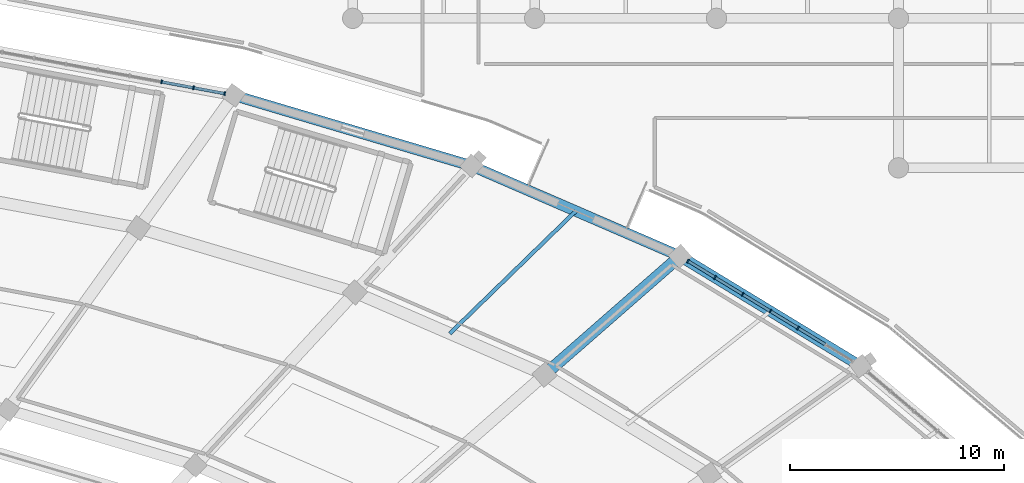
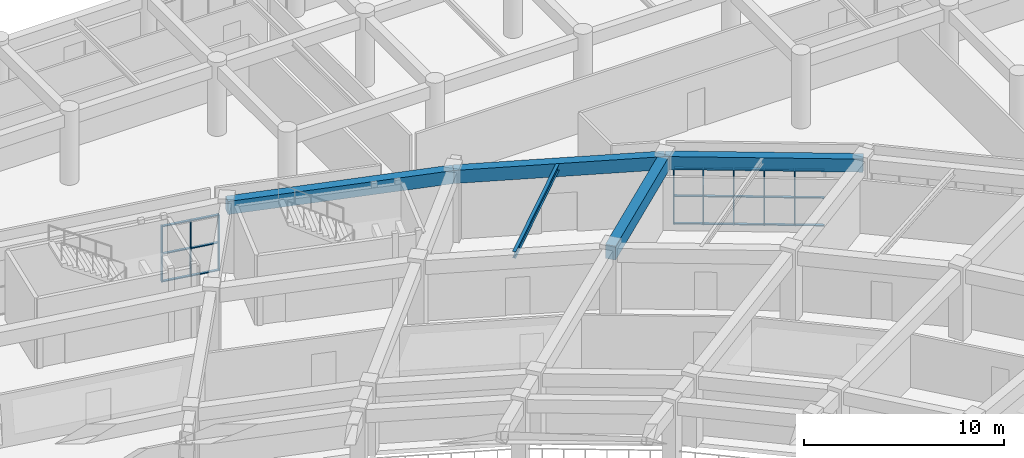
# One storey, part 72 of 145: 29 members, 5 beams, 2 elements without a shape of their own.
"""IFC4 building model written with IfcOpenShell, lengths in metres."""

from ifc_helpers import new_model, si_unit, direction, frame, origin, origin_2d, place, context, subcontext, project, spatial, rectangle, i_section, extrude, material, layer, layer_set, material_profile, profile_set, type_object, element, aggregate, save


model = new_model("IFC4")

# Units and contexts
model_context = context("Model", 3, precision=1e-05, world=origin(), true_north=direction((0.0, 1.0)))
body_context = subcontext(model_context, "Body", "Model", "MODEL_VIEW")
ifc_project = project(units=[si_unit("LENGTHUNIT", "METRE"), si_unit("AREAUNIT", "SQUARE_METRE"), si_unit("VOLUMEUNIT", "CUBIC_METRE"), si_unit("PLANEANGLEUNIT", "RADIAN"), si_unit("MASSUNIT", "GRAM", prefix="KILO")], contexts=[model_context])

# Site, building, storey
site_placement = place(None, origin())
site = spatial("IfcSite", under=ifc_project, at=site_placement, CompositionType="ELEMENT")
building_placement = place(site_placement, origin())
building = spatial("IfcBuilding", under=site, at=building_placement, Name="Mphavela Belvedere Stadium", CompositionType="ELEMENT")
storey_placement = place(building_placement, frame((0.0, 0.0, 10.199951171875)))
storey = spatial("IfcBuildingStorey", under=building, at=storey_placement, Name="L02", CompositionType="ELEMENT", Elevation=10.199951171875)

# Beams
ifc_material_1 = material(Name="Steel S355", Category="steel")
ifc_material_profile_1 = material_profile(ifc_material_1, i_section(OverallWidth=0.179931640625, OverallDepth=0.39990234375, WebThickness=0.008544921875, FlangeThickness=0.013427734375, at=origin_2d()), Name="IPE 400")
ifc_profile_set_1 = profile_set([ifc_material_profile_1], Name="Steel S355")
beam_type_1 = type_object("IfcBeamType", Name="BM-JOIST-IPE400", PredefinedType="JOIST", material=ifc_profile_set_1)
beam_1_placement = place(storey_placement, frame((174.918212890625, 145.242431640625, 4.050048828125), z_axis=(0.717067022089, 0.697004222249, 0.0), x_axis=(-0.697004222249, 0.717067022089, 0.0)))
element("IfcBeam", 1, at=beam_1_placement, inside=storey, type_object=beam_type_1, Name="Concourse floor joist L02-08", PredefinedType="JOIST", context=body_context, shape_type="SweptSolid", body=[
    extrude(i_section(OverallWidth=0.179931640625, OverallDepth=0.39990234375, WebThickness=0.008544921875, FlangeThickness=0.013427734375, at=origin_2d()), origin(), (0.0, 0.0, 1.0), 8.22607421875),
])
ifc_material_2 = material(Name="Concrete C40/50", Category="concrete")
ifc_material_profile_2 = material_profile(ifc_material_2, rectangle(XDim=0.550048828125, YDim=0.85009765625, at=origin_2d()), Name="RC 550x850")
ifc_profile_set_2 = profile_set([ifc_material_profile_2], Name="Concrete C40/50")
beam_type_2 = type_object("IfcBeamType", Name="BM-RC550x850", PredefinedType="BEAM", material=ifc_profile_set_2)
beam_2_placement = place(storey_placement, frame((179.360107421875, 143.31689453125, 3.824951171875), z_axis=(0.752589268993, 0.658490236978, 0.0), x_axis=(-0.658490236978, 0.752589268993, 0.0)))
element("IfcBeam", 2, at=beam_2_placement, inside=storey, type_object=beam_type_2, Name="Radial concourse girder L02 R3R4-08", PredefinedType="BEAM", context=body_context, shape_type="SweptSolid", body=[
    extrude(rectangle(XDim=0.550048828125, YDim=0.85009765625, at=origin_2d()), origin(), (0.0, 0.0, 1.0), 8.419189453125),
])
ifc_material_3 = material(Name="Concrete C40/50", Category="concrete")
ifc_material_profile_3 = material_profile(ifc_material_3, rectangle(XDim=0.5, YDim=0.800048828125, at=origin_2d()), Name="RC 500x800")
ifc_profile_set_3 = profile_set([ifc_material_profile_3], Name="Concrete C40/50")
beam_type_3 = type_object("IfcBeamType", Name="BM-SPANDREL-800", PredefinedType="SPANDREL", material=ifc_profile_set_3)
beam_3_placement = place(storey_placement, frame((194.155517578125, 143.714599609375, 3.85009765625), z_axis=(-0.854326607994, 0.51973651678, 0.0), x_axis=(-0.51973651678, -0.854326607994, 0.0)))
element("IfcBeam", 3, at=beam_3_placement, inside=storey, type_object=beam_type_3, Name="Circumferential girder L02 R4-07", PredefinedType="SPANDREL", context=body_context, shape_type="SweptSolid", body=[
    extrude(rectangle(XDim=0.5, YDim=0.800048828125, at=origin_2d()), origin(), (0.0, 0.0, 1.0), 9.901611328125),
])
beam_4_placement = place(storey_placement, frame((185.6962890625, 148.86083984375, 3.85009765625), z_axis=(-0.91749867224, 0.397738842004, 0.0), x_axis=(-0.397738842004, -0.91749867224, 0.0)))
element("IfcBeam", 4, at=beam_4_placement, inside=storey, type_object=beam_type_3, Name="Circumferential girder L02 R4-08", PredefinedType="SPANDREL", context=body_context, shape_type="SweptSolid", body=[
    extrude(rectangle(XDim=0.5, YDim=0.800048828125, at=origin_2d()), origin(), (0.0, 0.0, 1.0), 10.63623046875),
])
beam_5_placement = place(storey_placement, frame((175.9375, 153.09130859375, 3.85009765625), z_axis=(-0.958656362639, 0.284566298727, 0.0), x_axis=(-0.284566298727, -0.958656362639, 0.0)))
element("IfcBeam", 5, at=beam_5_placement, inside=storey, type_object=beam_type_3, Name="Circumferential girder L02 R4-09", PredefinedType="SPANDREL", context=body_context, shape_type="SweptSolid", body=[
    extrude(rectangle(XDim=0.5, YDim=0.800048828125, at=origin_2d()), origin(), (0.0, 0.0, 1.0), 11.616455078125),
])

# Curtain wall, members
ifc_material_4 = material(Name="Anodised bronze unitised curtain wall framing")
ifc_layer_1 = layer(ifc_material_4, 0.195068359375)
ifc_layer_set_1 = layer_set([ifc_layer_1], Name="Anodised bronze unitised curtain wall framing")
curtain_wall_type_1 = type_object("IfcCurtainWallType", Name="CW-UNIT-04", PredefinedType="USERDEFINED", material=ifc_layer_set_1)
curtain_wall_1_placement = place(storey_placement, origin())
curtain_wall_1 = element("IfcCurtainWall", 6, at=curtain_wall_1_placement, inside=storey, type_object=curtain_wall_type_1, Name="Belvedere colonnade curtain wall L02-07", ObjectType="UNITISED CURTAIN WALL", PredefinedType="USERDEFINED")
ifc_material_5 = material(Name="Anodised bronze extruded aluminium", Category="aluminium")
ifc_material_profile_4 = material_profile(ifc_material_5, rectangle(XDim=0.179931640625, YDim=0.06494140625, at=origin_2d()), Name="CW-MUL 180x65")
ifc_profile_set_4 = profile_set([ifc_material_profile_4], Name="Anodised bronze extruded aluminium")
member_type_1 = type_object("IfcMemberType", Name="CWM-180x65", PredefinedType="MULLION", material=ifc_profile_set_4)
member_1_placement = place(storey_placement, frame((191.222412109375, 145.4990234375, 0.0), z_axis=(0.0, 0.0, 1.0), x_axis=(-0.519731623633, -0.85432958476, 0.0)))
member_1 = element("IfcMember", 7, at=member_1_placement, type_object=member_type_1, Name="CW-04 mullion 3", PredefinedType="MULLION", context=body_context, shape_type="SweptSolid", body=[
    extrude(rectangle(XDim=0.179931640625, YDim=0.06494140625, at=origin_2d()), origin(), (0.0, 0.0, 1.0), 3.420166015625),
])
member_2_placement = place(storey_placement, frame((189.92578125, 146.28759765625, 0.0), z_axis=(0.0, 0.0, 1.0), x_axis=(-0.519731623633, -0.85432958476, 0.0)))
member_2 = element("IfcMember", 8, at=member_2_placement, type_object=member_type_1, Name="CW-04 mullion 4", PredefinedType="MULLION", context=body_context, shape_type="SweptSolid", body=[
    extrude(rectangle(XDim=0.179931640625, YDim=0.06494140625, at=origin_2d()), origin(), (0.0, 0.0, 1.0), 3.420166015625),
])
member_3_placement = place(storey_placement, frame((188.62939453125, 147.076416015625, 0.0), z_axis=(0.0, 0.0, 1.0), x_axis=(-0.519731623633, -0.85432958476, 0.0)))
member_3 = element("IfcMember", 9, at=member_3_placement, type_object=member_type_1, Name="CW-04 mullion 5", PredefinedType="MULLION", context=body_context, shape_type="SweptSolid", body=[
    extrude(rectangle(XDim=0.179931640625, YDim=0.06494140625, at=origin_2d()), origin(), (0.0, 0.0, 1.0), 3.420166015625),
])
member_4_placement = place(storey_placement, frame((187.332763671875, 147.865234375, 0.0), z_axis=(0.0, 0.0, 1.0), x_axis=(-0.519731623633, -0.85432958476, 0.0)))
member_4 = element("IfcMember", 10, at=member_4_placement, type_object=member_type_1, Name="CW-04 mullion 6", PredefinedType="MULLION", context=body_context, shape_type="SweptSolid", body=[
    extrude(rectangle(XDim=0.179931640625, YDim=0.06494140625, at=origin_2d()), origin(), (0.0, 0.0, 1.0), 3.420166015625),
])
member_5_placement = place(storey_placement, frame((186.06396484375, 148.63720703125, 0.0), z_axis=(0.0, 0.0, 1.0), x_axis=(-0.519731623633, -0.85432958476, 0.0)))
member_5 = element("IfcMember", 11, at=member_5_placement, type_object=member_type_1, Name="CW-04 mullion 7", PredefinedType="MULLION", context=body_context, shape_type="SweptSolid", body=[
    extrude(rectangle(XDim=0.179931640625, YDim=0.06494140625, at=origin_2d()), origin(), (0.0, 0.0, 1.0), 3.420166015625),
])

ifc_material_6 = material(Name="Anodised bronze unitised curtain wall framing")
ifc_layer_2 = layer(ifc_material_6, 0.199951171875)
ifc_layer_set_2 = layer_set([ifc_layer_2], Name="Anodised bronze unitised curtain wall framing")
curtain_wall_type_2 = type_object("IfcCurtainWallType", Name="CW-UNIT-05", PredefinedType="USERDEFINED", material=ifc_layer_set_2)
curtain_wall_2_placement = place(storey_placement, origin())
curtain_wall_2 = element("IfcCurtainWall", 12, at=curtain_wall_2_placement, inside=storey, type_object=curtain_wall_type_2, Name="Belvedere colonnade curtain wall L02-10", ObjectType="UNITISED CURTAIN WALL", PredefinedType="USERDEFINED")
member_6_placement = place(storey_placement, frame((164.3779296875, 156.475830078125, 0.0), z_axis=(0.0, 0.0, 1.0), x_axis=(-0.1830849431, -0.983097097753, 0.0)))
member_6 = element("IfcMember", 13, at=member_6_placement, type_object=member_type_1, Name="CW-05 mullion 1", PredefinedType="MULLION", context=body_context, shape_type="SweptSolid", body=[
    extrude(rectangle(XDim=0.179931640625, YDim=0.06494140625, at=origin_2d()), origin(), (0.0, 0.0, 1.0), 3.420166015625),
])
member_7_placement = place(storey_placement, frame((162.916748046875, 156.747802734375, 0.0), z_axis=(0.0, 0.0, 1.0), x_axis=(-0.1830849431, -0.983097097753, 0.0)))
member_7 = element("IfcMember", 14, at=member_7_placement, type_object=member_type_1, Name="CW-05 mullion 2", PredefinedType="MULLION", context=body_context, shape_type="SweptSolid", body=[
    extrude(rectangle(XDim=0.179931640625, YDim=0.06494140625, at=origin_2d()), origin(), (0.0, 0.0, 1.0), 3.420166015625),
])
member_8_placement = place(storey_placement, frame((161.42333984375, 157.02587890625, 0.0), z_axis=(0.0, 0.0, 1.0), x_axis=(-0.1830849431, -0.983097097753, 0.0)))
member_8 = element("IfcMember", 15, at=member_8_placement, type_object=member_type_1, Name="CW-05 mullion 3", PredefinedType="MULLION", context=body_context, shape_type="SweptSolid", body=[
    extrude(rectangle(XDim=0.179931640625, YDim=0.06494140625, at=origin_2d()), origin(), (0.0, 0.0, 1.0), 3.420166015625),
])

# Member
ifc_material_7 = material(Name="Anodised bronze extruded aluminium", Category="aluminium")
ifc_material_profile_5 = material_profile(ifc_material_7, rectangle(XDim=0.139892578125, YDim=0.06005859375, at=origin_2d()), Name="CW-TRN 140x60")
ifc_profile_set_5 = profile_set([ifc_material_profile_5], Name="Anodised bronze extruded aluminium")
member_type_2 = type_object("IfcMemberType", Name="CWT-140x60", PredefinedType="USERDEFINED", material=ifc_profile_set_5)
member_9_placement = place(storey_placement, frame((192.4912109375, 144.72705078125, 0.030029296875), z_axis=(-0.854347821313, 0.519701645387, 0.0), x_axis=(-0.519701645387, -0.854347821313, 0.0)))
member_9 = element("IfcMember", 16, at=member_9_placement, type_object=member_type_2, Name="CW-04 transom 2.1", ObjectType="TRANSOM", PredefinedType="USERDEFINED", context=body_context, shape_type="SweptSolid", body=[
    extrude(rectangle(XDim=0.139892578125, YDim=0.06005859375, at=origin_2d()), origin(), (0.0, 0.0, 1.0), 1.45263671875),
])

member_10_placement = place(storey_placement, frame((192.4912109375, 144.72705078125, 1.7099609375), z_axis=(-0.854347821313, 0.519701645387, 0.0), x_axis=(-0.519701645387, -0.854347821313, 0.0)))
member_10 = element("IfcMember", 17, at=member_10_placement, type_object=member_type_2, Name="CW-04 transom 2.2", ObjectType="TRANSOM", PredefinedType="USERDEFINED", context=body_context, shape_type="SweptSolid", body=[
    extrude(rectangle(XDim=0.139892578125, YDim=0.06005859375, at=origin_2d()), origin(), (0.0, 0.0, 1.0), 1.45263671875),
])

member_11_placement = place(storey_placement, frame((192.4912109375, 144.72705078125, 3.39013671875), z_axis=(-0.854347821313, 0.519701645387, 0.0), x_axis=(-0.519701645387, -0.854347821313, 0.0)))
member_11 = element("IfcMember", 18, at=member_11_placement, type_object=member_type_2, Name="CW-04 transom 2.3", ObjectType="TRANSOM", PredefinedType="USERDEFINED", context=body_context, shape_type="SweptSolid", body=[
    extrude(rectangle(XDim=0.139892578125, YDim=0.06005859375, at=origin_2d()), origin(), (0.0, 0.0, 1.0), 1.45263671875),
])

member_12_placement = place(storey_placement, frame((191.194580078125, 145.515869140625, 0.030029296875), z_axis=(-0.854347821313, 0.519701645387, 0.0), x_axis=(-0.519701645387, -0.854347821313, 0.0)))
member_12 = element("IfcMember", 19, at=member_12_placement, type_object=member_type_2, Name="CW-04 transom 3.1", ObjectType="TRANSOM", PredefinedType="USERDEFINED", context=body_context, shape_type="SweptSolid", body=[
    extrude(rectangle(XDim=0.139892578125, YDim=0.06005859375, at=origin_2d()), origin(), (0.0, 0.0, 1.0), 1.45263671875),
])

member_13_placement = place(storey_placement, frame((191.194580078125, 145.515869140625, 1.7099609375), z_axis=(-0.854347821313, 0.519701645387, 0.0), x_axis=(-0.519701645387, -0.854347821313, 0.0)))
member_13 = element("IfcMember", 20, at=member_13_placement, type_object=member_type_2, Name="CW-04 transom 3.2", ObjectType="TRANSOM", PredefinedType="USERDEFINED", context=body_context, shape_type="SweptSolid", body=[
    extrude(rectangle(XDim=0.139892578125, YDim=0.06005859375, at=origin_2d()), origin(), (0.0, 0.0, 1.0), 1.45263671875),
])

member_14_placement = place(storey_placement, frame((191.194580078125, 145.515869140625, 3.39013671875), z_axis=(-0.854347821313, 0.519701645387, 0.0), x_axis=(-0.519701645387, -0.854347821313, 0.0)))
member_14 = element("IfcMember", 21, at=member_14_placement, type_object=member_type_2, Name="CW-04 transom 3.3", ObjectType="TRANSOM", PredefinedType="USERDEFINED", context=body_context, shape_type="SweptSolid", body=[
    extrude(rectangle(XDim=0.139892578125, YDim=0.06005859375, at=origin_2d()), origin(), (0.0, 0.0, 1.0), 1.45263671875),
])

member_15_placement = place(storey_placement, frame((189.898193359375, 146.3046875, 0.030029296875), z_axis=(-0.85439320808, 0.519627025843, 0.0), x_axis=(-0.519627025843, -0.85439320808, 0.0)))
member_15 = element("IfcMember", 22, at=member_15_placement, type_object=member_type_2, Name="CW-04 transom 4.1", ObjectType="TRANSOM", PredefinedType="USERDEFINED", context=body_context, shape_type="SweptSolid", body=[
    extrude(rectangle(XDim=0.139892578125, YDim=0.06005859375, at=origin_2d()), origin(), (0.0, 0.0, 1.0), 1.45263671875),
])

member_16_placement = place(storey_placement, frame((189.898193359375, 146.3046875, 1.7099609375), z_axis=(-0.85439320808, 0.519627025843, 0.0), x_axis=(-0.519627025843, -0.85439320808, 0.0)))
member_16 = element("IfcMember", 23, at=member_16_placement, type_object=member_type_2, Name="CW-04 transom 4.2", ObjectType="TRANSOM", PredefinedType="USERDEFINED", context=body_context, shape_type="SweptSolid", body=[
    extrude(rectangle(XDim=0.139892578125, YDim=0.06005859375, at=origin_2d()), origin(), (0.0, 0.0, 1.0), 1.45263671875),
])

member_17_placement = place(storey_placement, frame((189.898193359375, 146.3046875, 3.39013671875), z_axis=(-0.85439320808, 0.519627025843, 0.0), x_axis=(-0.519627025843, -0.85439320808, 0.0)))
member_17 = element("IfcMember", 24, at=member_17_placement, type_object=member_type_2, Name="CW-04 transom 4.3", ObjectType="TRANSOM", PredefinedType="USERDEFINED", context=body_context, shape_type="SweptSolid", body=[
    extrude(rectangle(XDim=0.139892578125, YDim=0.06005859375, at=origin_2d()), origin(), (0.0, 0.0, 1.0), 1.45263671875),
])

member_18_placement = place(storey_placement, frame((188.6015625, 147.09326171875, 0.030029296875), z_axis=(-0.854273190748, 0.519824312214, 0.0), x_axis=(-0.519824312214, -0.854273190748, 0.0)))
member_18 = element("IfcMember", 25, at=member_18_placement, type_object=member_type_2, Name="CW-04 transom 5.1", ObjectType="TRANSOM", PredefinedType="USERDEFINED", context=body_context, shape_type="SweptSolid", body=[
    extrude(rectangle(XDim=0.139892578125, YDim=0.06005859375, at=origin_2d()), origin(), (0.0, 0.0, 1.0), 1.45263671875),
])

member_19_placement = place(storey_placement, frame((188.6015625, 147.09326171875, 1.7099609375), z_axis=(-0.854273190748, 0.519824312214, 0.0), x_axis=(-0.519824312214, -0.854273190748, 0.0)))
member_19 = element("IfcMember", 26, at=member_19_placement, type_object=member_type_2, Name="CW-04 transom 5.2", ObjectType="TRANSOM", PredefinedType="USERDEFINED", context=body_context, shape_type="SweptSolid", body=[
    extrude(rectangle(XDim=0.139892578125, YDim=0.06005859375, at=origin_2d()), origin(), (0.0, 0.0, 1.0), 1.45263671875),
])

member_20_placement = place(storey_placement, frame((188.6015625, 147.09326171875, 3.39013671875), z_axis=(-0.854273190748, 0.519824312214, 0.0), x_axis=(-0.519824312214, -0.854273190748, 0.0)))
member_20 = element("IfcMember", 27, at=member_20_placement, type_object=member_type_2, Name="CW-04 transom 5.3", ObjectType="TRANSOM", PredefinedType="USERDEFINED", context=body_context, shape_type="SweptSolid", body=[
    extrude(rectangle(XDim=0.139892578125, YDim=0.06005859375, at=origin_2d()), origin(), (0.0, 0.0, 1.0), 1.45263671875),
])

member_21_placement = place(storey_placement, frame((187.304931640625, 147.882080078125, 0.030029296875), z_axis=(-0.854321372969, 0.519745121852, 0.0), x_axis=(-0.519745121852, -0.854321372969, 0.0)))
member_21 = element("IfcMember", 28, at=member_21_placement, type_object=member_type_2, Name="CW-04 transom 6.1", ObjectType="TRANSOM", PredefinedType="USERDEFINED", context=body_context, shape_type="SweptSolid", body=[
    extrude(rectangle(XDim=0.139892578125, YDim=0.06005859375, at=origin_2d()), origin(), (0.0, 0.0, 1.0), 1.419921875),
])

member_22_placement = place(storey_placement, frame((187.304931640625, 147.882080078125, 1.7099609375), z_axis=(-0.854321372969, 0.519745121852, 0.0), x_axis=(-0.519745121852, -0.854321372969, 0.0)))
member_22 = element("IfcMember", 29, at=member_22_placement, type_object=member_type_2, Name="CW-04 transom 6.2", ObjectType="TRANSOM", PredefinedType="USERDEFINED", context=body_context, shape_type="SweptSolid", body=[
    extrude(rectangle(XDim=0.139892578125, YDim=0.06005859375, at=origin_2d()), origin(), (0.0, 0.0, 1.0), 1.419921875),
])

member_23_placement = place(storey_placement, frame((187.304931640625, 147.882080078125, 3.39013671875), z_axis=(-0.854321372969, 0.519745121852, 0.0), x_axis=(-0.519745121852, -0.854321372969, 0.0)))
member_23 = element("IfcMember", 30, at=member_23_placement, type_object=member_type_2, Name="CW-04 transom 6.3", ObjectType="TRANSOM", PredefinedType="USERDEFINED", context=body_context, shape_type="SweptSolid", body=[
    extrude(rectangle(XDim=0.139892578125, YDim=0.06005859375, at=origin_2d()), origin(), (0.0, 0.0, 1.0), 1.419921875),
])

aggregate(curtain_wall_1, [member_1, member_2, member_3, member_4, member_5, member_9, member_10, member_11, member_12, member_13, member_14, member_15, member_16, member_17, member_18, member_19, member_20, member_21, member_22, member_23])

member_24_placement = place(storey_placement, frame((164.345947265625, 156.481689453125, 0.030029296875), z_axis=(-0.98309123567, 0.183116417477, 0.0), x_axis=(-0.183116417477, -0.98309123567, 0.0)))
member_24 = element("IfcMember", 31, at=member_24_placement, type_object=member_type_2, Name="CW-05 transom 1.1", ObjectType="TRANSOM", PredefinedType="USERDEFINED", context=body_context, shape_type="SweptSolid", body=[
    extrude(rectangle(XDim=0.139892578125, YDim=0.06005859375, at=origin_2d()), origin(), (0.0, 0.0, 1.0), 1.421142578125),
])

member_25_placement = place(storey_placement, frame((164.345947265625, 156.481689453125, 1.7099609375), z_axis=(-0.98309123567, 0.183116417477, 0.0), x_axis=(-0.183116417477, -0.98309123567, 0.0)))
member_25 = element("IfcMember", 32, at=member_25_placement, type_object=member_type_2, Name="CW-05 transom 1.2", ObjectType="TRANSOM", PredefinedType="USERDEFINED", context=body_context, shape_type="SweptSolid", body=[
    extrude(rectangle(XDim=0.139892578125, YDim=0.06005859375, at=origin_2d()), origin(), (0.0, 0.0, 1.0), 1.421142578125),
])

member_26_placement = place(storey_placement, frame((164.345947265625, 156.481689453125, 3.39013671875), z_axis=(-0.98309123567, 0.183116417477, 0.0), x_axis=(-0.183116417477, -0.98309123567, 0.0)))
member_26 = element("IfcMember", 33, at=member_26_placement, type_object=member_type_2, Name="CW-05 transom 1.3", ObjectType="TRANSOM", PredefinedType="USERDEFINED", context=body_context, shape_type="SweptSolid", body=[
    extrude(rectangle(XDim=0.139892578125, YDim=0.06005859375, at=origin_2d()), origin(), (0.0, 0.0, 1.0), 1.421142578125),
])

member_27_placement = place(storey_placement, frame((162.884765625, 156.75390625, 0.030029296875), z_axis=(-0.983108977499, 0.18302114184, 0.0), x_axis=(-0.18302114184, -0.983108977499, 0.0)))
member_27 = element("IfcMember", 34, at=member_27_placement, type_object=member_type_2, Name="CW-05 transom 2.1", ObjectType="TRANSOM", PredefinedType="USERDEFINED", context=body_context, shape_type="SweptSolid", body=[
    extrude(rectangle(XDim=0.139892578125, YDim=0.06005859375, at=origin_2d()), origin(), (0.0, 0.0, 1.0), 1.4541015625),
])

member_28_placement = place(storey_placement, frame((162.884765625, 156.75390625, 1.7099609375), z_axis=(-0.983108977499, 0.18302114184, 0.0), x_axis=(-0.18302114184, -0.983108977499, 0.0)))
member_28 = element("IfcMember", 35, at=member_28_placement, type_object=member_type_2, Name="CW-05 transom 2.2", ObjectType="TRANSOM", PredefinedType="USERDEFINED", context=body_context, shape_type="SweptSolid", body=[
    extrude(rectangle(XDim=0.139892578125, YDim=0.06005859375, at=origin_2d()), origin(), (0.0, 0.0, 1.0), 1.4541015625),
])

member_29_placement = place(storey_placement, frame((162.884765625, 156.75390625, 3.39013671875), z_axis=(-0.983108977499, 0.18302114184, 0.0), x_axis=(-0.18302114184, -0.983108977499, 0.0)))
member_29 = element("IfcMember", 36, at=member_29_placement, type_object=member_type_2, Name="CW-05 transom 2.3", ObjectType="TRANSOM", PredefinedType="USERDEFINED", context=body_context, shape_type="SweptSolid", body=[
    extrude(rectangle(XDim=0.139892578125, YDim=0.06005859375, at=origin_2d()), origin(), (0.0, 0.0, 1.0), 1.4541015625),
])

aggregate(curtain_wall_2, [member_6, member_7, member_8, member_24, member_25, member_26, member_27, member_28, member_29])

save(model, "model.ifc")
